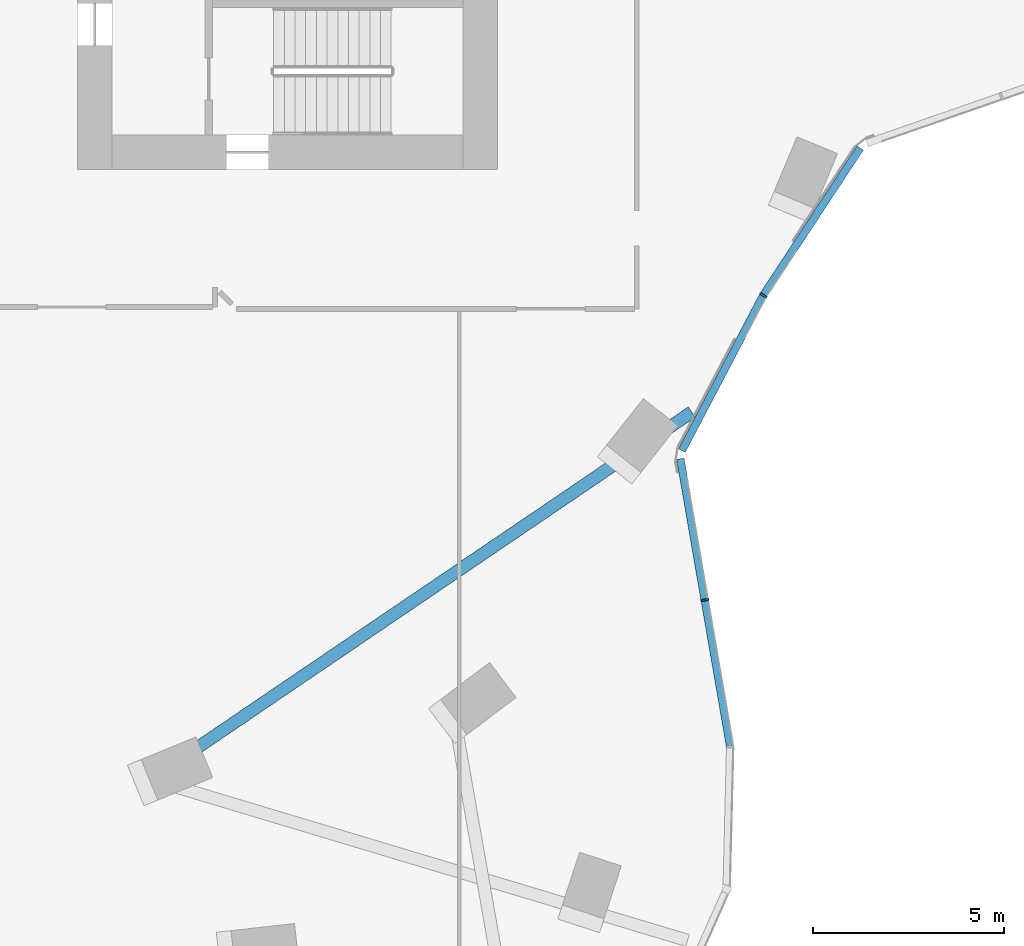
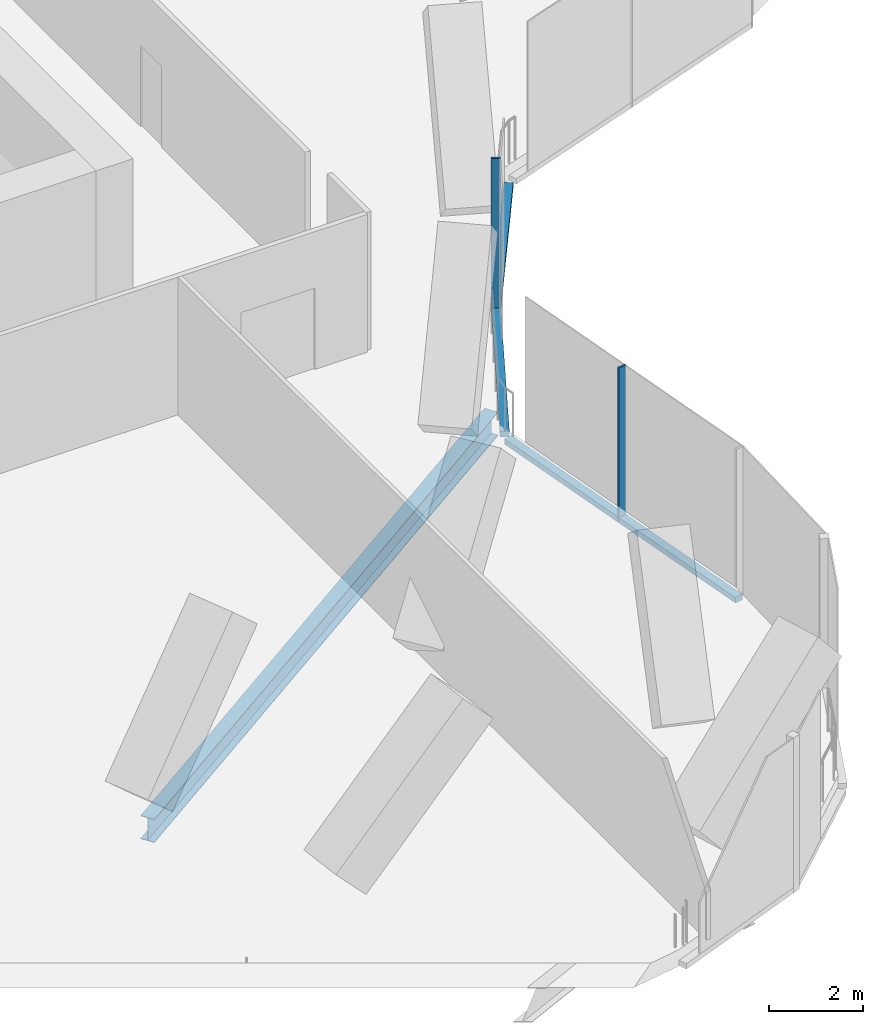
# One storey, part 5 of 26: 5 members, 1 beam, 3 elements without a shape of their own.
"""IFC4 building model written with IfcOpenShell, lengths in metres."""

from ifc_helpers import new_model, si_unit, direction, frame, origin, origin_2d, place, context, subcontext, project, spatial, rectangle, i_section, extrude, material, material_profile, profile_set, type_object, element, aggregate, save


model = new_model("IFC4")

# Units and contexts
model_context = context("Model", 3, precision=1e-05, world=origin(), true_north=direction((0.0, 1.0)))
body_context = subcontext(model_context, "Body", "Model", "MODEL_VIEW")
ifc_project = project(units=[si_unit("LENGTHUNIT", "METRE"), si_unit("AREAUNIT", "SQUARE_METRE"), si_unit("VOLUMEUNIT", "CUBIC_METRE"), si_unit("PLANEANGLEUNIT", "RADIAN"), si_unit("MASSUNIT", "GRAM", prefix="KILO")], contexts=[model_context])

# Site, building, storey
site_placement = place(None, origin())
site = spatial("IfcSite", under=ifc_project, at=site_placement, CompositionType="ELEMENT")
building_placement = place(site_placement, origin())
building = spatial("IfcBuilding", under=site, at=building_placement, Name="Orlundy Tower", CompositionType="ELEMENT")
storey_placement = place(building_placement, frame((0.0, 0.0, 249.5)))
storey = spatial("IfcBuildingStorey", under=building, at=storey_placement, Name="L66", CompositionType="ELEMENT", Elevation=249.5)

# Beam
ifc_material_1 = material(Name="Steel ASTM A992 Gr 50", Category="steel")
ifc_material_profile_1 = material_profile(ifc_material_1, i_section(OverallWidth=0.32373046875, OverallDepth=0.611083984375, WebThickness=0.0126953125, FlangeThickness=0.01904296875, at=origin_2d()), Name="W24X104")
ifc_profile_set_1 = profile_set([ifc_material_profile_1], Name="Steel ASTM A992 Gr 50")
beam_type = type_object("IfcBeamType", Name="CANTILEVER GIRDER beam W24X104", PredefinedType="BEAM", material=ifc_profile_set_1)
beam_placement = place(storey_placement, frame((24.090087890625, -18.354248046875, -0.7255859375), z_axis=(-0.827394036994, -0.561621854585, 0.0), x_axis=(0.561621854585, -0.827394036994, 0.0)))
element("IfcBeam", 1, at=beam_placement, inside=storey, type_object=beam_type, Name="Cantilever girder C-H09 L66", PredefinedType="BEAM", context=body_context, shape_type="SweptSolid", body=[
    extrude(i_section(OverallWidth=0.32373046875, OverallDepth=0.611083984375, WebThickness=0.0126953125, FlangeThickness=0.01904296875, at=origin_2d()), origin(), (0.0, 0.0, 1.0), 16.704833984375),
])

# Curtain wall, member
ifc_material_2 = material(Name="Aluminium bronze anodised", Category="aluminium")
curtain_wall_type = type_object("IfcCurtainWallType", Name="CW5 wall", PredefinedType="NOTDEFINED", material=ifc_material_2)
curtain_wall_1_placement = place(storey_placement, origin())
curtain_wall_1 = element("IfcCurtainWall", 2, at=curtain_wall_1_placement, inside=storey, type_object=curtain_wall_type, Name="CW5 run 030", PredefinedType="NOTDEFINED")
ifc_material_3 = material(Name="Aluminium bronze anodised", Category="aluminium")
ifc_material_profile_2 = material_profile(ifc_material_3, rectangle(XDim=0.199951171875, YDim=0.050048828125, at=origin_2d()), Name="CW5 mullion 50x200")
ifc_profile_set_2 = profile_set([ifc_material_profile_2], Name="Aluminium bronze anodised")
member_type_1 = type_object("IfcMemberType", Name="CW5 mullion 50x200", PredefinedType="MULLION", material=ifc_profile_set_2)
member_1_placement = place(storey_placement, frame((25.96728515625, -15.293701171875, -0.419921875), z_axis=(0.0, 0.0, 1.0), x_axis=(0.861632796655, -0.507532189845, 0.0)))
member_1 = element("IfcMember", 3, at=member_1_placement, type_object=member_type_1, Name="CW5 mullion 42", PredefinedType="MULLION", context=body_context, shape_type="SweptSolid", body=[
    extrude(rectangle(XDim=0.199951171875, YDim=0.050048828125, at=origin_2d()), origin(), (0.0, 0.0, 1.0), 4.0),
])

curtain_wall_2_placement = place(storey_placement, origin())
curtain_wall_2 = element("IfcCurtainWall", 4, at=curtain_wall_2_placement, inside=storey, type_object=curtain_wall_type, Name="CW5 run 031", PredefinedType="NOTDEFINED")
member_2_placement = place(storey_placement, frame((24.43408203125, -23.27685546875, -0.419921875), z_axis=(0.0, 0.0, 1.0), x_axis=(0.985318106887, 0.170728522047, 0.0)))
member_2 = element("IfcMember", 5, at=member_2_placement, type_object=member_type_1, Name="CW5 mullion 44", PredefinedType="MULLION", context=body_context, shape_type="SweptSolid", body=[
    extrude(rectangle(XDim=0.199951171875, YDim=0.050048828125, at=origin_2d()), origin(), (0.0, 0.0, 1.0), 4.0),
])

curtain_wall_3_placement = place(storey_placement, origin())
curtain_wall_3 = element("IfcCurtainWall", 6, at=curtain_wall_3_placement, inside=storey, type_object=curtain_wall_type, Name="CW5 run 029", PredefinedType="NOTDEFINED")
ifc_material_4 = material(Name="Aluminium bronze anodised", Category="aluminium")
ifc_material_profile_3 = material_profile(ifc_material_4, rectangle(XDim=0.199951171875, YDim=0.139892578125, at=origin_2d()), Name="CW5 transom 200x140")
ifc_profile_set_3 = profile_set([ifc_material_profile_3], Name="Aluminium bronze anodised")
member_type_2 = type_object("IfcMemberType", Name="CW5 transom 200x140", PredefinedType="USERDEFINED", material=ifc_profile_set_3)
member_3_placement = place(storey_placement, frame((28.5048828125, -11.435791015625, -0.35009765625), z_axis=(-0.549537418612, -0.835469105081, 0.0), x_axis=(0.835469105081, -0.549537418612, 0.0)))
member_3 = element("IfcMember", 7, at=member_3_placement, type_object=member_type_2, Name="CW5 transom", ObjectType="TRANSOM", PredefinedType="USERDEFINED", context=body_context, shape_type="SweptSolid", body=[
    extrude(rectangle(XDim=0.199951171875, YDim=0.139892578125, at=origin_2d()), origin(), (0.0, 0.0, 1.0), 4.5927734375),
])
aggregate(curtain_wall_3, [member_3])

# Member
member_4_placement = place(storey_placement, frame((25.95556640625, -15.31591796875, -0.35009765625), z_axis=(-0.464268463626, -0.885694526167, 0.0), x_axis=(0.885694526167, -0.464268463626, 0.0)))
member_4 = element("IfcMember", 8, at=member_4_placement, type_object=member_type_2, Name="CW5 transom", ObjectType="TRANSOM", PredefinedType="USERDEFINED", context=body_context, shape_type="SweptSolid", body=[
    extrude(rectangle(XDim=0.199951171875, YDim=0.139892578125, at=origin_2d()), origin(), (0.0, 0.0, 1.0), 4.5703125),
])

aggregate(curtain_wall_1, [member_1, member_4])

member_5_placement = place(storey_placement, frame((23.79248046875, -19.573974609375, -0.35009765625), z_axis=(0.170721738433, -0.985319282277, 0.0), x_axis=(0.985319282277, 0.170721738433, 0.0)))
member_5 = element("IfcMember", 9, at=member_5_placement, type_object=member_type_2, Name="CW5 transom", ObjectType="TRANSOM", PredefinedType="USERDEFINED", context=body_context, shape_type="SweptSolid", body=[
    extrude(rectangle(XDim=0.199951171875, YDim=0.139892578125, at=origin_2d()), origin(), (0.0, 0.0, 1.0), 7.635009765625),
])

aggregate(curtain_wall_2, [member_2, member_5])

save(model, "model.ifc")
